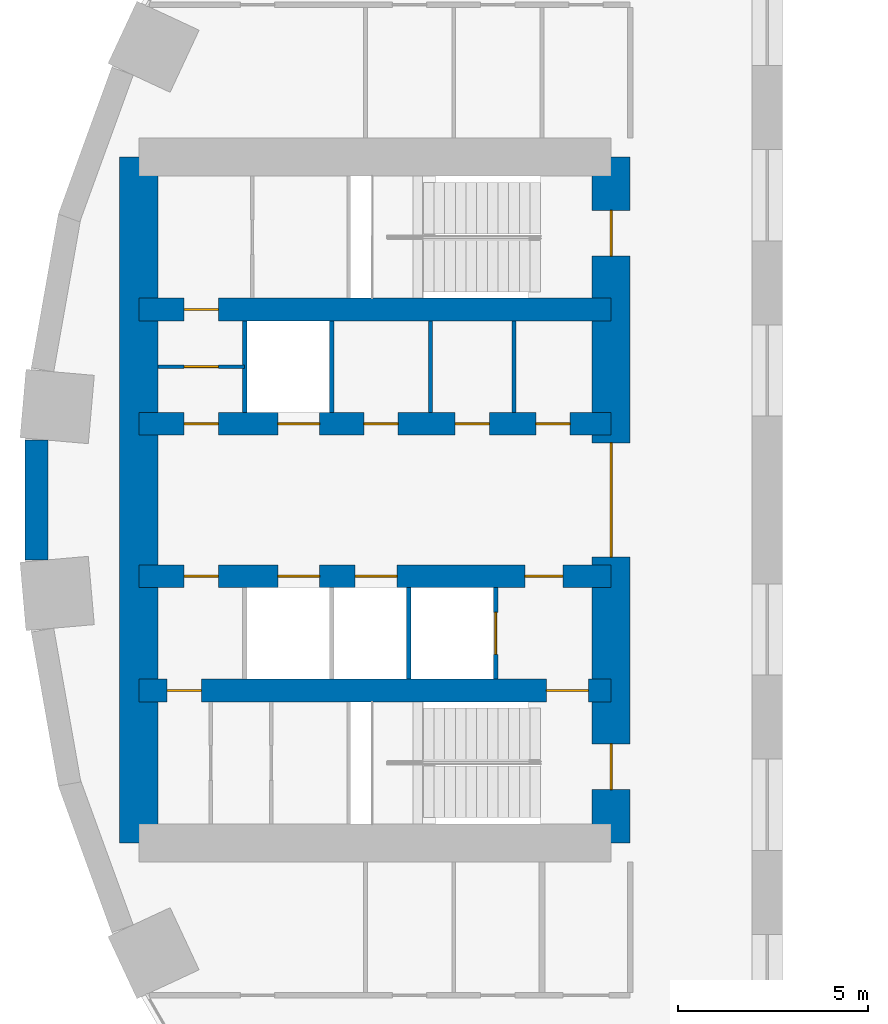
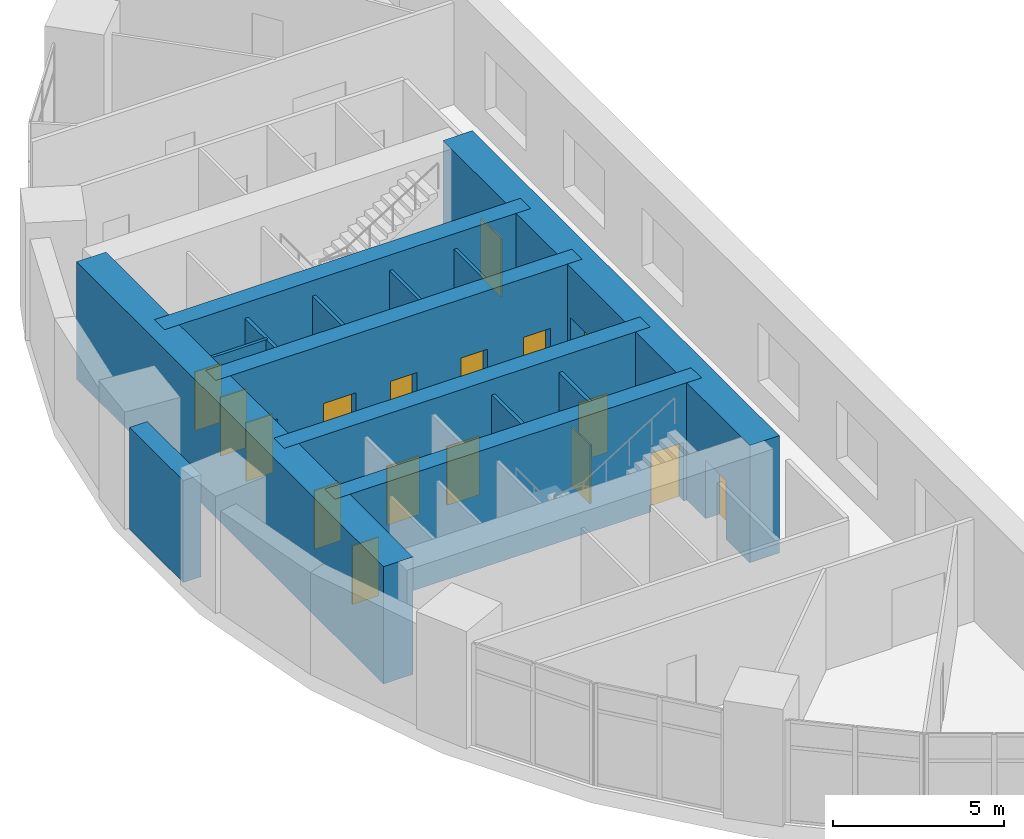
# One storey, part 8 of 13: 17 doors, 14 walls, 17 openings.
"""IFC4 building model written with IfcOpenShell, lengths in metres."""

from ifc_helpers import new_model, si_unit, direction, frame, frame_2d, origin, place, context, subcontext, project, spatial, rectangle, extrude, material, layer, layer_set, type_object, element, fill, save


model = new_model("IFC4")

# Units and contexts
model_context = context("Model", 3, precision=1e-05, world=origin(), true_north=direction((0.0, 1.0)))
body_context = subcontext(model_context, "Body", "Model", "MODEL_VIEW")
ifc_project = project(units=[si_unit("LENGTHUNIT", "METRE"), si_unit("AREAUNIT", "SQUARE_METRE"), si_unit("VOLUMEUNIT", "CUBIC_METRE"), si_unit("PLANEANGLEUNIT", "RADIAN"), si_unit("MASSUNIT", "GRAM", prefix="KILO")], contexts=[model_context])

# Site, building, storey
site_placement = place(None, origin())
site = spatial("IfcSite", under=ifc_project, at=site_placement, CompositionType="ELEMENT")
building_placement = place(site_placement, origin())
building = spatial("IfcBuilding", under=site, at=building_placement, Name="Saqina Gate Tower", CompositionType="ELEMENT")
storey_placement = place(building_placement, frame((0.0, 0.0, 5.0)))
storey = spatial("IfcBuildingStorey", under=building, at=storey_placement, Name="L01", CompositionType="ELEMENT", Elevation=5.0)

# Walls
ifc_material_1 = material(Name="Gypsum board on steel studs", Category="steel")
ifc_layer_1 = layer(ifc_material_1, 0.10009765625)
ifc_layer_set_1 = layer_set([ifc_layer_1], Name="CORE PARTITION")
wall_type_1 = type_object("IfcWallType", Name="CORE PARTITION", PredefinedType="PARTITIONING", material=ifc_layer_set_1)
for number, where, z_axis, x_axis, name in (
    (1, (-16.052001953125, 2.300048828125, 0.0), (0.0, 0.0, 1.0), (0.0, 1.0, 0.0), "L01-CP-W01"),
    (2, (-18.24072265625, 2.300048828125, 0.0), (0.0, 0.0, 1.0), (0.0, 1.0, 0.0), "L01-CP-W02"),
):
    element("IfcWall", number, at=place(storey_placement, frame(where, z_axis=z_axis, x_axis=x_axis)), inside=storey, type_object=wall_type_1, Name=name, PredefinedType="PARTITIONING", context=body_context, shape_type="SweptSolid", body=[
        extrude(rectangle(XDim=2.39990234375, YDim=0.10009765625, at=frame_2d((1.199951171875, 0.0))), origin(), (0.0, 0.0, 1.0), 3.64990234375),
    ])

# Wall, opening, door
wall_1_placement = place(storey_placement, frame((-23.1201171875, 3.5, 0.0), z_axis=(0.0, 0.0, 1.0), x_axis=(-1.0, 0.0, 0.0)))
wall_1 = element("IfcWall", 3, at=wall_1_placement, inside=storey, type_object=wall_type_1, Name="L01-CP-W09", PredefinedType="PARTITIONING", context=body_context, shape_type="SweptSolid", body=[
    extrude(rectangle(XDim=2.27978515625, YDim=0.10009765625, at=frame_2d((1.139892578125, 0.0))), origin(), (0.0, 0.0, 1.0), 3.64990234375),
])
opening_1_placement = place(wall_1_placement, frame((0.68994140625, 0.0, 0.0)))
opening_1 = element("IfcOpeningElement", 4, at=opening_1_placement, cuts=wall_1, Name="Opening L01-D112", PredefinedType="OPENING", context=body_context, shape_type="SweptSolid", body=[
    extrude(rectangle(XDim=0.89990234375, YDim=2.10009765625, at=frame_2d((0.449951171875, 1.050048828125))), frame((0.0, 0.06201171875, 0.0), z_axis=(0.0, -1.0, 0.0), x_axis=(1.0, 0.0, 0.0)), (0.0, 0.0, 1.0), 0.1240234375),
])
ifc_material_2 = material(Name="Steel-framed fire door leaf, EI 60", Category="steel")
door_type_1 = type_object("IfcDoorType", Name="SERVICE ROOM DOOR 900", OperationType="SINGLE_SWING_LEFT", PredefinedType="DOOR", material=ifc_material_2)
door_1_placement = place(opening_1_placement, frame((0.89990234375, 0.0, 0.0), z_axis=(0.0, 0.0, 1.0), x_axis=(-1.0, 0.0, 0.0)))
door_1 = element("IfcDoor", 5, at=door_1_placement, inside=storey, type_object=door_type_1, Name="L01-CD-W23", OperationType="SINGLE_SWING_LEFT", OverallHeight=2.10009765625, OverallWidth=0.89990234375, PredefinedType="DOOR", context=body_context, shape_type="SweptSolid", body=[
    extrude(rectangle(XDim=0.89990234375, YDim=2.10009765625, at=frame_2d((0.449951171875, 1.050048828125))), frame((0.0, 0.02490234375, 0.0), z_axis=(0.0, -1.0, 0.0), x_axis=(1.0, 0.0, 0.0)), (0.0, 0.0, 1.0), 0.050048828125),
])
fill(opening_1, door_1)

# Walls
ifc_material_3 = material(Name="Glazed ceramic tile", Category="ceramic")
ifc_layer_2 = layer(ifc_material_3, 0.60009765625)
ifc_layer_set_2 = layer_set([ifc_layer_2], Name="FW-TILE")
wall_type_2 = type_object("IfcWallType", Name="FW-TILE", PredefinedType="SOLIDWALL", material=ifc_layer_set_2)
wall_2_placement = place(storey_placement, frame((-28.589599609375, 1.571533203125, 0.0), z_axis=(0.0, 0.0, 1.0), x_axis=(0.0, -1.0, 0.0)))
element("IfcWall", 6, at=wall_2_placement, inside=storey, type_object=wall_type_2, Name="Facade wall L01 facet 18", PredefinedType="SOLIDWALL", context=body_context, shape_type="SweptSolid", body=[
    extrude(rectangle(XDim=3.14306640625, YDim=0.60009765625, at=frame_2d((1.571533203125, 0.0))), origin(), (0.0, 0.0, 1.0), 3.64990234375),
])
ifc_material_4 = material(Name="Autoclaved aerated concrete block", Category="concrete")
ifc_layer_3 = layer(ifc_material_4, 0.1201171875)
ifc_layer_set_3 = layer_set([ifc_layer_3], Name="SHAFT PARTITION")
wall_type_3 = type_object("IfcWallType", Name="SHAFT PARTITION", PredefinedType="PARTITIONING", material=ifc_layer_set_3)
for number, where, z_axis, x_axis, name in (
    (7, (-20.840087890625, 2.300048828125, 0.0), (0.0, 0.0, 1.0), (0.0, 1.0, 0.0), "L01-CP-W03"),
    (8, (-23.1201171875, 2.300048828125, 0.0), (0.0, 0.0, 1.0), (0.0, 1.0, 0.0), "L01-CP-W04"),
):
    element("IfcWall", number, at=place(storey_placement, frame(where, z_axis=z_axis, x_axis=x_axis)), inside=storey, type_object=wall_type_3, Name=name, PredefinedType="PARTITIONING", context=body_context, shape_type="SweptSolid", body=[
        extrude(rectangle(XDim=2.39990234375, YDim=0.1201171875, at=frame_2d((1.199951171875, 0.0))), origin(), (0.0, 0.0, 1.0), 3.64990234375),
    ])

# Wall, opening, door
wall_3_placement = place(storey_placement, frame((-16.530029296875, -4.699951171875, 0.0), z_axis=(0.0, 0.0, 1.0), x_axis=(0.0, 1.0, 0.0)))
wall_3 = element("IfcWall", 9, at=wall_3_placement, inside=storey, type_object=wall_type_3, Name="L01-CP-W05", PredefinedType="PARTITIONING", context=body_context, shape_type="SweptSolid", body=[
    extrude(rectangle(XDim=2.39990234375, YDim=0.1201171875, at=frame_2d((1.199951171875, 0.0))), origin(), (0.0, 0.0, 1.0), 3.64990234375),
])
opening_2_placement = place(wall_3_placement, frame((0.64990234375, 0.0, 0.0)))
opening_2 = element("IfcOpeningElement", 10, at=opening_2_placement, cuts=wall_3, Name="Opening L01-LD6", PredefinedType="OPENING", context=body_context, shape_type="SweptSolid", body=[
    extrude(rectangle(XDim=1.10009765625, YDim=2.10009765625, at=frame_2d((0.550048828125, 1.050048828125))), frame((0.0, 0.072021484375, 0.0), z_axis=(0.0, -1.0, 0.0), x_axis=(1.0, 0.0, 0.0)), (0.0, 0.0, 1.0), 0.14404296875),
])
ifc_material_5 = material(Name="Stainless steel", Category="steel")
door_type_2 = type_object("IfcDoorType", Name="LANDING DOOR", OperationType="DOUBLE_DOOR_SLIDING", PredefinedType="DOOR", material=ifc_material_5)
door_2_placement = place(opening_2_placement, origin())
door_2 = element("IfcDoor", 11, at=door_2_placement, inside=storey, type_object=door_type_2, Name="LANDING DOOR FF2", OperationType="DOUBLE_DOOR_SLIDING", OverallHeight=2.10009765625, OverallWidth=1.10009765625, PredefinedType="DOOR", context=body_context, shape_type="SweptSolid", body=[
    extrude(rectangle(XDim=1.10009765625, YDim=2.10009765625, at=frame_2d((0.550048828125, 1.050048828125))), frame((0.0, 0.02490234375, 0.0), z_axis=(0.0, -1.0, 0.0), x_axis=(1.0, 0.0, 0.0)), (0.0, 0.0, 1.0), 0.050048828125),
])
fill(opening_2, door_2)

# Wall
wall_4_placement = place(storey_placement, frame((-18.81005859375, -4.699951171875, 0.0), z_axis=(0.0, 0.0, 1.0), x_axis=(0.0, 1.0, 0.0)))
element("IfcWall", 12, at=wall_4_placement, inside=storey, type_object=wall_type_3, Name="L01-CP-W06", PredefinedType="PARTITIONING", context=body_context, shape_type="SweptSolid", body=[
    extrude(rectangle(XDim=2.39990234375, YDim=0.1201171875, at=frame_2d((1.199951171875, 0.0))), origin(), (0.0, 0.0, 1.0), 3.64990234375),
])

# Wall, opening, door
ifc_material_6 = material(Name="Concrete C70/85", Category="concrete")
ifc_layer_4 = layer(ifc_material_6, 0.60009765625)
ifc_layer_set_4 = layer_set([ifc_layer_4], Name="Concrete C70/85")
wall_type_4 = type_object("IfcWallType", Name="STR-CORE WALL-P-I", PredefinedType="SHEAR", material=ifc_layer_set_4)
wall_5_placement = place(storey_placement, frame((-13.5, 5.0, 0.0), z_axis=(0.0, 0.0, 1.0), x_axis=(-1.0, 0.0, 0.0)))
wall_5 = element("IfcWall", 13, at=wall_5_placement, inside=storey, type_object=wall_type_4, Name="CORE WALL L01 W-X1", PredefinedType="SHEAR", context=body_context, shape_type="SweptSolid", body=[
    extrude(rectangle(XDim=12.39990234375, YDim=0.60009765625, at=frame_2d((6.199951171875, 0.0))), origin(), (0.0, 0.0, 1.0), 4.199951171875),
])
opening_3_placement = place(wall_5_placement, frame((10.31005859375, 0.0, 0.0)))
opening_3 = element("IfcOpeningElement", 14, at=opening_3_placement, cuts=wall_5, Name="Opening L01-D114", PredefinedType="OPENING", context=body_context, shape_type="SweptSolid", body=[
    extrude(rectangle(XDim=0.89990234375, YDim=2.10009765625, at=frame_2d((0.449951171875, 1.050048828125))), frame((0.0, 0.31201171875, 0.0), z_axis=(0.0, -1.0, 0.0), x_axis=(1.0, 0.0, 0.0)), (0.0, 0.0, 1.0), 0.6240234375),
])
door_3_placement = place(opening_3_placement, frame((0.89990234375, 0.0, 0.0), z_axis=(0.0, 0.0, 1.0), x_axis=(-1.0, 0.0, 0.0)))
door_3 = element("IfcDoor", 15, at=door_3_placement, inside=storey, type_object=door_type_1, Name="L01-CD-W25", OperationType="SINGLE_SWING_LEFT", OverallHeight=2.10009765625, OverallWidth=0.89990234375, PredefinedType="DOOR", context=body_context, shape_type="SweptSolid", body=[
    extrude(rectangle(XDim=0.89990234375, YDim=2.10009765625, at=frame_2d((0.449951171875, 1.050048828125))), frame((0.0, 0.02490234375, 0.0), z_axis=(0.0, -1.0, 0.0), x_axis=(1.0, 0.0, 0.0)), (0.0, 0.0, 1.0), 0.050048828125),
])
fill(opening_3, door_3)

# Wall, openings, doors
wall_6_placement = place(storey_placement, frame((-13.5, -5.0, 0.0), z_axis=(0.0, 0.0, 1.0), x_axis=(-1.0, 0.0, 0.0)))
wall_6 = element("IfcWall", 16, at=wall_6_placement, inside=storey, type_object=wall_type_4, Name="CORE WALL L01 W-X2", PredefinedType="SHEAR", context=body_context, shape_type="SweptSolid", body=[
    extrude(rectangle(XDim=12.39990234375, YDim=0.60009765625, at=frame_2d((6.199951171875, 0.0))), origin(), (0.0, 0.0, 1.0), 4.199951171875),
])
opening_4_placement = place(wall_6_placement, frame((10.755615234375, 0.0, 0.0)))
opening_4 = element("IfcOpeningElement", 17, at=opening_4_placement, cuts=wall_6, Name="Opening L01-D117", PredefinedType="OPENING", context=body_context, shape_type="SweptSolid", body=[
    extrude(rectangle(XDim=0.89990234375, YDim=2.10009765625, at=frame_2d((0.449951171875, 1.050048828125))), frame((0.0, 0.31201171875, 0.0), z_axis=(0.0, -1.0, 0.0), x_axis=(1.0, 0.0, 0.0)), (0.0, 0.0, 1.0), 0.6240234375),
])
opening_5_placement = place(wall_6_placement, frame((0.60009765625, 0.0, 0.0)))
opening_5 = element("IfcOpeningElement", 18, at=opening_5_placement, cuts=wall_6, Name="Opening L01-D118", PredefinedType="OPENING", context=body_context, shape_type="SweptSolid", body=[
    extrude(rectangle(XDim=1.10009765625, YDim=2.10009765625, at=frame_2d((0.550048828125, 1.050048828125))), frame((0.0, 0.31201171875, 0.0), z_axis=(0.0, -1.0, 0.0), x_axis=(1.0, 0.0, 0.0)), (0.0, 0.0, 1.0), 0.6240234375),
])
ifc_material_7 = material(Name="Steel", Category="steel")
door_type_3 = type_object("IfcDoorType", Name="FIRE LOBBY DOOR EI 60 WIDE", OperationType="SINGLE_SWING_LEFT", PredefinedType="DOOR", material=ifc_material_7)
door_4_placement = place(opening_5_placement, origin())
door_4 = element("IfcDoor", 19, at=door_4_placement, inside=storey, type_object=door_type_3, Name="L01-CD-W29", OperationType="SINGLE_SWING_LEFT", OverallHeight=2.10009765625, OverallWidth=1.10009765625, PredefinedType="DOOR", context=body_context, shape_type="SweptSolid", body=[
    extrude(rectangle(XDim=1.10009765625, YDim=2.10009765625, at=frame_2d((0.550048828125, 1.050048828125))), frame((0.0, 0.02490234375, 0.0), z_axis=(0.0, -1.0, 0.0), x_axis=(1.0, 0.0, 0.0)), (0.0, 0.0, 1.0), 0.050048828125),
])
fill(opening_5, door_4)
door_5_placement = place(opening_4_placement, frame((0.89990234375, 0.0, 0.0), z_axis=(0.0, 0.0, 1.0), x_axis=(-1.0, 0.0, 0.0)))
door_5 = element("IfcDoor", 20, at=door_5_placement, inside=storey, type_object=door_type_1, Name="L01-CD-W28", OperationType="SINGLE_SWING_LEFT", OverallHeight=2.10009765625, OverallWidth=0.89990234375, PredefinedType="DOOR", context=body_context, shape_type="SweptSolid", body=[
    extrude(rectangle(XDim=0.89990234375, YDim=2.10009765625, at=frame_2d((0.449951171875, 1.050048828125))), frame((0.0, 0.02490234375, 0.0), z_axis=(0.0, -1.0, 0.0), x_axis=(1.0, 0.0, 0.0)), (0.0, 0.0, 1.0), 0.050048828125),
])
fill(opening_4, door_5)

wall_7_placement = place(storey_placement, frame((-13.5, 2.0, 0.0), z_axis=(0.0, 0.0, 1.0), x_axis=(-1.0, 0.0, 0.0)))
wall_7 = element("IfcWall", 21, at=wall_7_placement, inside=storey, type_object=wall_type_4, Name="CORE WALL L01 W-L1", PredefinedType="SHEAR", context=body_context, shape_type="SweptSolid", body=[
    extrude(rectangle(XDim=12.39990234375, YDim=0.60009765625, at=frame_2d((6.199951171875, 0.0))), origin(), (0.0, 0.0, 1.0), 4.199951171875),
])
opening_6_placement = place(wall_7_placement, frame((7.64990234375, 0.0, 0.0)))
opening_6 = element("IfcOpeningElement", 22, at=opening_6_placement, cuts=wall_7, Name="Opening L01-LD5", PredefinedType="OPENING", context=body_context, shape_type="SweptSolid", body=[
    extrude(rectangle(XDim=1.10009765625, YDim=2.10009765625, at=frame_2d((0.550048828125, 1.050048828125))), frame((0.0, 0.31201171875, 0.0), z_axis=(0.0, -1.0, 0.0), x_axis=(1.0, 0.0, 0.0)), (0.0, 0.0, 1.0), 0.6240234375),
])
opening_7_placement = place(wall_7_placement, frame((1.075927734375, 0.0, 0.0)))
opening_7 = element("IfcOpeningElement", 23, at=opening_7_placement, cuts=wall_7, Name="Opening L01-D106", PredefinedType="OPENING", context=body_context, shape_type="SweptSolid", body=[
    extrude(rectangle(XDim=0.89990234375, YDim=2.10009765625, at=frame_2d((0.449951171875, 1.050048828125))), frame((0.0, 0.31201171875, 0.0), z_axis=(0.0, -1.0, 0.0), x_axis=(1.0, 0.0, 0.0)), (0.0, 0.0, 1.0), 0.6240234375),
])
opening_8_placement = place(wall_7_placement, frame((3.1962890625, 0.0, 0.0)))
opening_8 = element("IfcOpeningElement", 24, at=opening_8_placement, cuts=wall_7, Name="Opening L01-D107", PredefinedType="OPENING", context=body_context, shape_type="SweptSolid", body=[
    extrude(rectangle(XDim=0.89990234375, YDim=2.10009765625, at=frame_2d((0.449951171875, 1.050048828125))), frame((0.0, 0.31201171875, 0.0), z_axis=(0.0, -1.0, 0.0), x_axis=(1.0, 0.0, 0.0)), (0.0, 0.0, 1.0), 0.6240234375),
])
opening_9_placement = place(wall_7_placement, frame((5.59033203125, 0.0, 0.0)))
opening_9 = element("IfcOpeningElement", 25, at=opening_9_placement, cuts=wall_7, Name="Opening L01-D108", PredefinedType="OPENING", context=body_context, shape_type="SweptSolid", body=[
    extrude(rectangle(XDim=0.89990234375, YDim=2.10009765625, at=frame_2d((0.449951171875, 1.050048828125))), frame((0.0, 0.31201171875, 0.0), z_axis=(0.0, -1.0, 0.0), x_axis=(1.0, 0.0, 0.0)), (0.0, 0.0, 1.0), 0.6240234375),
])
opening_10_placement = place(wall_7_placement, frame((10.31005859375, 0.0, 0.0)))
opening_10 = element("IfcOpeningElement", 26, at=opening_10_placement, cuts=wall_7, Name="Opening L01-D109", PredefinedType="OPENING", context=body_context, shape_type="SweptSolid", body=[
    extrude(rectangle(XDim=0.89990234375, YDim=2.10009765625, at=frame_2d((0.449951171875, 1.050048828125))), frame((0.0, 0.31201171875, 0.0), z_axis=(0.0, -1.0, 0.0), x_axis=(1.0, 0.0, 0.0)), (0.0, 0.0, 1.0), 0.6240234375),
])
door_6_placement = place(opening_6_placement, origin())
door_6 = element("IfcDoor", 27, at=door_6_placement, inside=storey, type_object=door_type_2, Name="LANDING DOOR LR4", OperationType="DOUBLE_DOOR_SLIDING", OverallHeight=2.10009765625, OverallWidth=1.10009765625, PredefinedType="DOOR", context=body_context, shape_type="SweptSolid", body=[
    extrude(rectangle(XDim=1.10009765625, YDim=2.10009765625, at=frame_2d((0.550048828125, 1.050048828125))), frame((0.0, 0.02490234375, 0.0), z_axis=(0.0, -1.0, 0.0), x_axis=(1.0, 0.0, 0.0)), (0.0, 0.0, 1.0), 0.050048828125),
])
fill(opening_6, door_6)
door_7_placement = place(opening_7_placement, frame((0.89990234375, 0.0, 0.0), z_axis=(0.0, 0.0, 1.0), x_axis=(-1.0, 0.0, 0.0)))
door_7 = element("IfcDoor", 28, at=door_7_placement, inside=storey, type_object=door_type_1, Name="L01-CD-W17", OperationType="SINGLE_SWING_LEFT", OverallHeight=2.10009765625, OverallWidth=0.89990234375, PredefinedType="DOOR", context=body_context, shape_type="SweptSolid", body=[
    extrude(rectangle(XDim=0.89990234375, YDim=2.10009765625, at=frame_2d((0.449951171875, 1.050048828125))), frame((0.0, 0.02490234375, 0.0), z_axis=(0.0, -1.0, 0.0), x_axis=(1.0, 0.0, 0.0)), (0.0, 0.0, 1.0), 0.050048828125),
])
fill(opening_7, door_7)
door_8_placement = place(opening_8_placement, frame((0.89990234375, 0.0, 0.0), z_axis=(0.0, 0.0, 1.0), x_axis=(-1.0, 0.0, 0.0)))
door_8 = element("IfcDoor", 29, at=door_8_placement, inside=storey, type_object=door_type_1, Name="L01-CD-W18", OperationType="SINGLE_SWING_RIGHT", OverallHeight=2.10009765625, OverallWidth=0.89990234375, PredefinedType="DOOR", context=body_context, shape_type="SweptSolid", body=[
    extrude(rectangle(XDim=0.89990234375, YDim=2.10009765625, at=frame_2d((0.449951171875, 1.050048828125))), frame((0.0, 0.02490234375, 0.0), z_axis=(0.0, -1.0, 0.0), x_axis=(1.0, 0.0, 0.0)), (0.0, 0.0, 1.0), 0.050048828125),
])
fill(opening_8, door_8)
door_9_placement = place(opening_9_placement, frame((0.89990234375, 0.0, 0.0), z_axis=(0.0, 0.0, 1.0), x_axis=(-1.0, 0.0, 0.0)))
door_9 = element("IfcDoor", 30, at=door_9_placement, inside=storey, type_object=door_type_1, Name="L01-CD-W19", OperationType="SINGLE_SWING_RIGHT", OverallHeight=2.10009765625, OverallWidth=0.89990234375, PredefinedType="DOOR", context=body_context, shape_type="SweptSolid", body=[
    extrude(rectangle(XDim=0.89990234375, YDim=2.10009765625, at=frame_2d((0.449951171875, 1.050048828125))), frame((0.0, 0.02490234375, 0.0), z_axis=(0.0, -1.0, 0.0), x_axis=(1.0, 0.0, 0.0)), (0.0, 0.0, 1.0), 0.050048828125),
])
fill(opening_9, door_9)
door_10_placement = place(opening_10_placement, frame((0.89990234375, 0.0, 0.0), z_axis=(0.0, 0.0, 1.0), x_axis=(-1.0, 0.0, 0.0)))
door_10 = element("IfcDoor", 31, at=door_10_placement, inside=storey, type_object=door_type_1, Name="L01-CD-W20", OperationType="SINGLE_SWING_LEFT", OverallHeight=2.10009765625, OverallWidth=0.89990234375, PredefinedType="DOOR", context=body_context, shape_type="SweptSolid", body=[
    extrude(rectangle(XDim=0.89990234375, YDim=2.10009765625, at=frame_2d((0.449951171875, 1.050048828125))), frame((0.0, 0.02490234375, 0.0), z_axis=(0.0, -1.0, 0.0), x_axis=(1.0, 0.0, 0.0)), (0.0, 0.0, 1.0), 0.050048828125),
])
fill(opening_10, door_10)

wall_8_placement = place(storey_placement, frame((-13.5, -2.0, 0.0), z_axis=(0.0, 0.0, 1.0), x_axis=(-1.0, 0.0, 0.0)))
wall_8 = element("IfcWall", 32, at=wall_8_placement, inside=storey, type_object=wall_type_4, Name="CORE WALL L01 W-L2", PredefinedType="SHEAR", context=body_context, shape_type="SweptSolid", body=[
    extrude(rectangle(XDim=12.39990234375, YDim=0.60009765625, at=frame_2d((6.199951171875, 0.0))), origin(), (0.0, 0.0, 1.0), 4.199951171875),
])
opening_11_placement = place(wall_8_placement, frame((5.6201171875, 0.0, 0.0)))
opening_11 = element("IfcOpeningElement", 33, at=opening_11_placement, cuts=wall_8, Name="Opening L01-LD7", PredefinedType="OPENING", context=body_context, shape_type="SweptSolid", body=[
    extrude(rectangle(XDim=1.10009765625, YDim=2.10009765625, at=frame_2d((0.550048828125, 1.050048828125))), frame((0.0, 0.31201171875, 0.0), z_axis=(0.0, -1.0, 0.0), x_axis=(1.0, 0.0, 0.0)), (0.0, 0.0, 1.0), 0.6240234375),
])
opening_12_placement = place(wall_8_placement, frame((7.64990234375, 0.0, 0.0)))
opening_12 = element("IfcOpeningElement", 34, at=opening_12_placement, cuts=wall_8, Name="Opening L01-LD8", PredefinedType="OPENING", context=body_context, shape_type="SweptSolid", body=[
    extrude(rectangle(XDim=1.10009765625, YDim=2.10009765625, at=frame_2d((0.550048828125, 1.050048828125))), frame((0.0, 0.31201171875, 0.0), z_axis=(0.0, -1.0, 0.0), x_axis=(1.0, 0.0, 0.0)), (0.0, 0.0, 1.0), 0.6240234375),
])
opening_13_placement = place(wall_8_placement, frame((1.264892578125, 0.0, 0.0)))
opening_13 = element("IfcOpeningElement", 35, at=opening_13_placement, cuts=wall_8, Name="Opening L01-D110", PredefinedType="OPENING", context=body_context, shape_type="SweptSolid", body=[
    extrude(rectangle(XDim=1.0, YDim=2.10009765625, at=frame_2d((0.5, 1.050048828125))), frame((0.0, 0.31201171875, 0.0), z_axis=(0.0, -1.0, 0.0), x_axis=(1.0, 0.0, 0.0)), (0.0, 0.0, 1.0), 0.6240234375),
])
opening_14_placement = place(wall_8_placement, frame((10.31005859375, 0.0, 0.0)))
opening_14 = element("IfcOpeningElement", 36, at=opening_14_placement, cuts=wall_8, Name="Opening L01-D111", PredefinedType="OPENING", context=body_context, shape_type="SweptSolid", body=[
    extrude(rectangle(XDim=0.89990234375, YDim=2.10009765625, at=frame_2d((0.449951171875, 1.050048828125))), frame((0.0, 0.31201171875, 0.0), z_axis=(0.0, -1.0, 0.0), x_axis=(1.0, 0.0, 0.0)), (0.0, 0.0, 1.0), 0.6240234375),
])
ifc_material_8 = material(Name="Steel", Category="steel")
door_type_4 = type_object("IfcDoorType", Name="FIRE LOBBY DOOR EI 60", OperationType="SINGLE_SWING_LEFT", PredefinedType="DOOR", material=ifc_material_8)
door_11_placement = place(opening_13_placement, frame((1.0, 0.0, 0.0), z_axis=(0.0, 0.0, 1.0), x_axis=(-1.0, 0.0, 0.0)))
door_11 = element("IfcDoor", 37, at=door_11_placement, inside=storey, type_object=door_type_4, Name="L01-CD-W21", OperationType="SINGLE_SWING_RIGHT", OverallHeight=2.10009765625, OverallWidth=1.0, PredefinedType="DOOR", context=body_context, shape_type="SweptSolid", body=[
    extrude(rectangle(XDim=1.0, YDim=2.10009765625, at=frame_2d((0.5, 1.050048828125))), frame((0.0, 0.02490234375, 0.0), z_axis=(0.0, -1.0, 0.0), x_axis=(1.0, 0.0, 0.0)), (0.0, 0.0, 1.0), 0.050048828125),
])
fill(opening_13, door_11)
door_12_placement = place(opening_11_placement, origin())
door_12 = element("IfcDoor", 38, at=door_12_placement, inside=storey, type_object=door_type_2, Name="LANDING DOOR LR6", OperationType="DOUBLE_DOOR_SLIDING", OverallHeight=2.10009765625, OverallWidth=1.10009765625, PredefinedType="DOOR", context=body_context, shape_type="SweptSolid", body=[
    extrude(rectangle(XDim=1.10009765625, YDim=2.10009765625, at=frame_2d((0.550048828125, 1.050048828125))), frame((0.0, 0.02490234375, 0.0), z_axis=(0.0, -1.0, 0.0), x_axis=(1.0, 0.0, 0.0)), (0.0, 0.0, 1.0), 0.050048828125),
])
fill(opening_11, door_12)
door_13_placement = place(opening_12_placement, origin())
door_13 = element("IfcDoor", 39, at=door_13_placement, inside=storey, type_object=door_type_2, Name="LANDING DOOR LR5", OperationType="DOUBLE_DOOR_SLIDING", OverallHeight=2.10009765625, OverallWidth=1.10009765625, PredefinedType="DOOR", context=body_context, shape_type="SweptSolid", body=[
    extrude(rectangle(XDim=1.10009765625, YDim=2.10009765625, at=frame_2d((0.550048828125, 1.050048828125))), frame((0.0, 0.02490234375, 0.0), z_axis=(0.0, -1.0, 0.0), x_axis=(1.0, 0.0, 0.0)), (0.0, 0.0, 1.0), 0.050048828125),
])
fill(opening_12, door_13)
door_14_placement = place(opening_14_placement, origin())
door_14 = element("IfcDoor", 40, at=door_14_placement, inside=storey, type_object=door_type_1, Name="L01-CD-W22", OperationType="SINGLE_SWING_RIGHT", OverallHeight=2.10009765625, OverallWidth=0.89990234375, PredefinedType="DOOR", context=body_context, shape_type="SweptSolid", body=[
    extrude(rectangle(XDim=0.89990234375, YDim=2.10009765625, at=frame_2d((0.449951171875, 1.050048828125))), frame((0.0, 0.02490234375, 0.0), z_axis=(0.0, -1.0, 0.0), x_axis=(1.0, 0.0, 0.0)), (0.0, 0.0, 1.0), 0.050048828125),
])
fill(opening_14, door_14)

ifc_material_9 = material(Name="Concrete C70/85", Category="concrete")
ifc_layer_5 = layer(ifc_material_9, 1.0)
ifc_layer_set_5 = layer_set([ifc_layer_5], Name="Concrete C70/85")
wall_type_5 = type_object("IfcWallType", Name="STR-CORE WALL-P-O", PredefinedType="SHEAR", material=ifc_layer_set_5)
wall_9_placement = place(storey_placement, frame((-13.5, -9.0, 0.0), z_axis=(0.0, 0.0, 1.0), x_axis=(0.0, 1.0, 0.0)))
wall_9 = element("IfcWall", 41, at=wall_9_placement, inside=storey, type_object=wall_type_5, Name="CORE WALL L01 W-W1", PredefinedType="SHEAR", context=body_context, shape_type="SweptSolid", body=[
    extrude(rectangle(XDim=18.0, YDim=1.0, at=frame_2d((9.0, 0.0))), origin(), (0.0, 0.0, 1.0), 4.199951171875),
])
opening_15_placement = place(wall_9_placement, frame((15.39990234375, 0.0, 0.0)))
opening_15 = element("IfcOpeningElement", 42, at=opening_15_placement, cuts=wall_9, Name="Opening L01-D119", PredefinedType="OPENING", context=body_context, shape_type="SweptSolid", body=[
    extrude(rectangle(XDim=1.199951171875, YDim=2.10009765625, at=frame_2d((0.60009765625, 1.050048828125))), frame((0.0, 0.511962890625, 0.0), z_axis=(0.0, -1.0, 0.0), x_axis=(1.0, 0.0, 0.0)), (0.0, 0.0, 1.0), 1.02392578125),
])
opening_16_placement = place(wall_9_placement, frame((1.39990234375, 0.0, 0.0)))
opening_16 = element("IfcOpeningElement", 43, at=opening_16_placement, cuts=wall_9, Name="Opening L01-D120", PredefinedType="OPENING", context=body_context, shape_type="SweptSolid", body=[
    extrude(rectangle(XDim=1.199951171875, YDim=2.10009765625, at=frame_2d((0.60009765625, 1.050048828125))), frame((0.0, 0.511962890625, 0.0), z_axis=(0.0, -1.0, 0.0), x_axis=(1.0, 0.0, 0.0)), (0.0, 0.0, 1.0), 1.02392578125),
])
opening_17_placement = place(wall_9_placement, frame((7.5, 0.0, 0.0)))
opening_17 = element("IfcOpeningElement", 44, at=opening_17_placement, cuts=wall_9, Name="Opening L01-D121", PredefinedType="OPENING", context=body_context, shape_type="SweptSolid", body=[
    extrude(rectangle(XDim=3.0, YDim=2.39990234375, at=frame_2d((1.5, 1.199951171875))), frame((0.0, 0.511962890625, 0.0), z_axis=(0.0, -1.0, 0.0), x_axis=(1.0, 0.0, 0.0)), (0.0, 0.0, 1.0), 1.02392578125),
])
ifc_material_10 = material(Name="Steel", Category="steel")
door_type_5 = type_object("IfcDoorType", Name="FIRE DOOR EI 60", OperationType="SINGLE_SWING_LEFT", PredefinedType="DOOR", material=ifc_material_10)
door_15_placement = place(opening_15_placement, origin())
door_15 = element("IfcDoor", 45, at=door_15_placement, inside=storey, type_object=door_type_5, Name="L01-CD-W30", OperationType="SINGLE_SWING_RIGHT", OverallHeight=2.10009765625, OverallWidth=1.199951171875, PredefinedType="DOOR", context=body_context, shape_type="SweptSolid", body=[
    extrude(rectangle(XDim=1.199951171875, YDim=2.10009765625, at=frame_2d((0.60009765625, 1.050048828125))), frame((0.0, 0.02490234375, 0.0), z_axis=(0.0, -1.0, 0.0), x_axis=(1.0, 0.0, 0.0)), (0.0, 0.0, 1.0), 0.050048828125),
])
fill(opening_15, door_15)
door_16_placement = place(opening_16_placement, origin())
door_16 = element("IfcDoor", 46, at=door_16_placement, inside=storey, type_object=door_type_5, Name="L01-CD-W31", OperationType="SINGLE_SWING_LEFT", OverallHeight=2.10009765625, OverallWidth=1.199951171875, PredefinedType="DOOR", context=body_context, shape_type="SweptSolid", body=[
    extrude(rectangle(XDim=1.199951171875, YDim=2.10009765625, at=frame_2d((0.60009765625, 1.050048828125))), frame((0.0, 0.02490234375, 0.0), z_axis=(0.0, -1.0, 0.0), x_axis=(1.0, 0.0, 0.0)), (0.0, 0.0, 1.0), 0.050048828125),
])
fill(opening_16, door_16)
ifc_material_11 = material(Name="Steel and fire-resisting glass", Category="steel")
door_type_6 = type_object("IfcDoorType", Name="LOBBY SCREEN DOOR", OperationType="DOUBLE_DOOR_SLIDING", PredefinedType="DOOR", material=ifc_material_11)
door_17_placement = place(opening_17_placement, origin())
door_17 = element("IfcDoor", 47, at=door_17_placement, inside=storey, type_object=door_type_6, Name="L01-CD-W32", OperationType="DOUBLE_DOOR_SLIDING", OverallHeight=2.39990234375, OverallWidth=3.0, PredefinedType="DOOR", context=body_context, shape_type="SweptSolid", body=[
    extrude(rectangle(XDim=3.0, YDim=2.39990234375, at=frame_2d((1.5, 1.199951171875))), frame((0.0, 0.02490234375, 0.0), z_axis=(0.0, -1.0, 0.0), x_axis=(1.0, 0.0, 0.0)), (0.0, 0.0, 1.0), 0.050048828125),
])
fill(opening_17, door_17)

# Wall
wall_10_placement = place(storey_placement, frame((-25.89990234375, -9.0, 0.0), z_axis=(0.0, 0.0, 1.0), x_axis=(0.0, 1.0, 0.0)))
element("IfcWall", 48, at=wall_10_placement, inside=storey, type_object=wall_type_5, Name="CORE WALL L01 W-W2", PredefinedType="SHEAR", context=body_context, shape_type="SweptSolid", body=[
    extrude(rectangle(XDim=18.0, YDim=1.0, at=frame_2d((9.0, 0.0))), origin(), (0.0, 0.0, 1.0), 4.199951171875),
])

save(model, "model.ifc")
